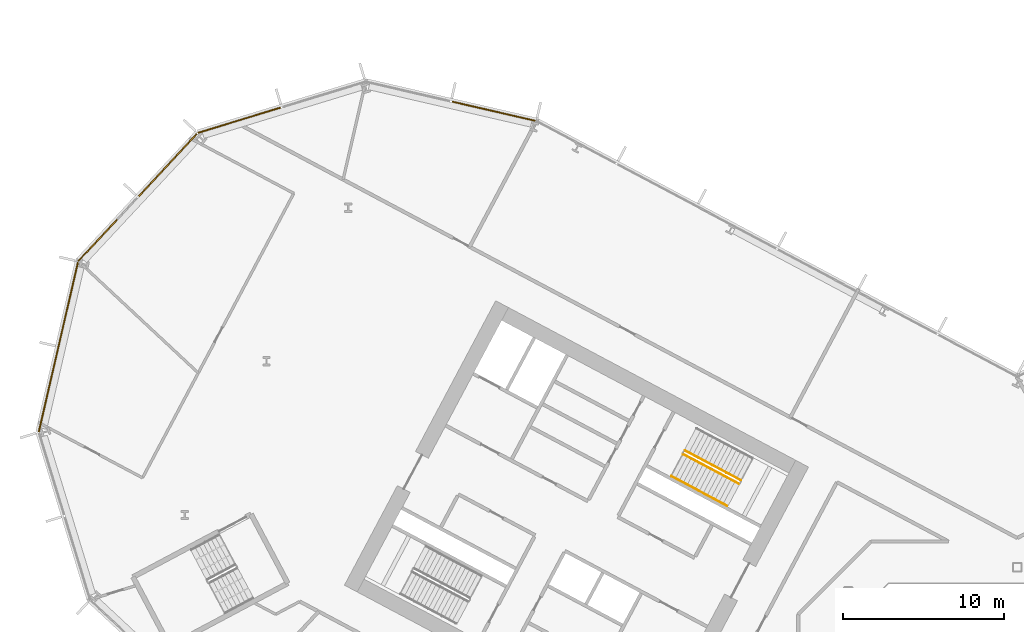
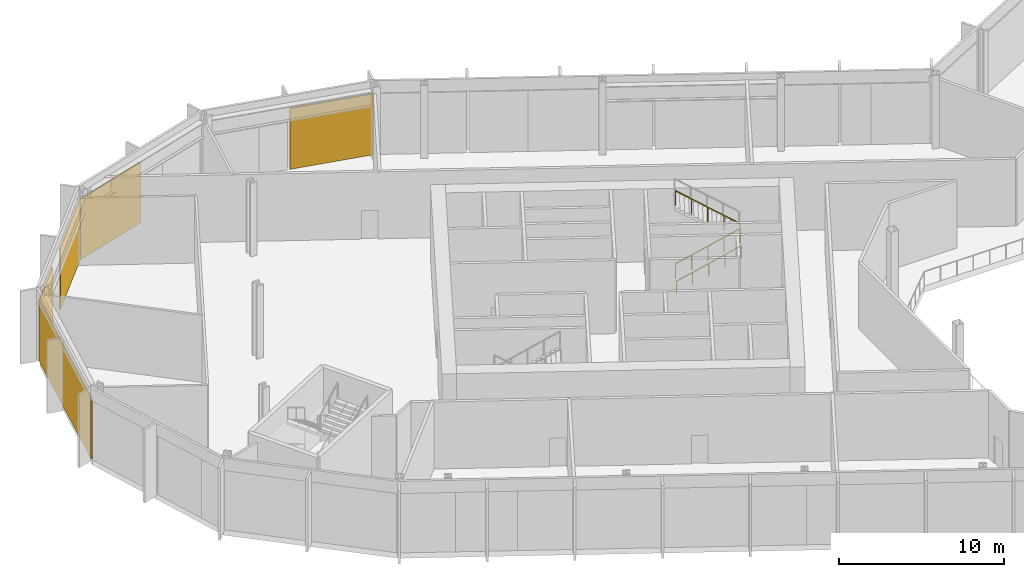
# One storey, part 24 of 31: 5 coverings, 3 railings, 4 elements without a shape of their own.
"""IFC4 building model written with IfcOpenShell, lengths in metres."""

import ifcopenshell
import ifcopenshell.guid

model = None  # the IFC model being written
_history = None  # IfcOwnerHistory: only IFC2X3 demands one
_inside = {}  # id of a spatial element -> (the spatial element, [elements in it])
_under = {}  # id of a project, library or spatial element -> (it, [spatial elements below it])
_declared = {}  # id of a project -> (the project, [libraries it declares])
_typed = {}  # id of a type object -> (the type object, [elements of that type])
_made_of = {}  # id of a material, layer set ... -> (it, [elements and type objects made of it])


def new_model(schema):
    """Start an empty IFC model of exactly this schema.

    Asked for "IFC4X3", IfcOpenShell would pick the latest addendum, in which some entities
    have other attributes; the version numbers below select the first issue.
    IFC2X3 requires an IfcOwnerHistory on every rooted entity: one is made here for all.
    """
    global model, _history
    if schema == "IFC4X3":
        model = ifcopenshell.file(schema_version=(4, 3, 0, 0))
    else:
        model = ifcopenshell.file(schema=schema)
    _inside.clear()
    _under.clear()
    _declared.clear()
    _typed.clear()
    _made_of.clear()
    _history = None
    if model.schema == "IFC2X3":
        org = make("IfcOrganization", Name="unknown")
        user = make(
            "IfcPersonAndOrganization",
            ThePerson=make("IfcPerson", FamilyName="unknown"),
            TheOrganization=org,
        )
        app = make(
            "IfcApplication",
            ApplicationDeveloper=org,
            Version="unknown",
            ApplicationFullName="unknown",
            ApplicationIdentifier="unknown",
        )
        _history = make(
            "IfcOwnerHistory",
            OwningUser=user,
            OwningApplication=app,
            ChangeAction="ADDED",
            CreationDate=0,
        )
    return model


def make(cls, **values):
    """One entity of the class cls with the attributes given. An attribute that is None is left unset."""
    return model.create_entity(
        cls, **{name: value for name, value in values.items() if value is not None}
    )


def rooted(cls, **values):
    """An entity with a GlobalId (a new one), such as an element, a storey or a relation."""
    return make(cls, GlobalId=ifcopenshell.guid.new(), OwnerHistory=_history, **values)


def si_unit(unit_type, name, prefix=None):
    """IfcSIUnit, for example si_unit("LENGTHUNIT", "METRE", prefix="MILLI")."""
    return make("IfcSIUnit", UnitType=unit_type, Prefix=prefix, Name=name)


def assignment(units):
    """IfcUnitAssignment: the units of a project."""
    return None if units is None else make("IfcUnitAssignment", Units=units)


def point(xyz):
    """IfcCartesianPoint."""
    return None if xyz is None else make("IfcCartesianPoint", Coordinates=xyz)


def direction(xyz):
    """IfcDirection."""
    return None if xyz is None else make("IfcDirection", DirectionRatios=xyz)


def frame(location, z_axis=None, x_axis=None):
    """IfcAxis2Placement3D, a coordinate frame: its origin and axes. An axis left out is left unset."""
    return make(
        "IfcAxis2Placement3D",
        Location=point(location),
        Axis=direction(z_axis),
        RefDirection=direction(x_axis),
    )


def frame_2d(location, x_axis=None):
    """IfcAxis2Placement2D, a coordinate frame in the plane: its origin and x axis."""
    return make(
        "IfcAxis2Placement2D", Location=point(location), RefDirection=direction(x_axis)
    )


def origin():
    """The frame at (0, 0, 0) with its axes left unset."""
    return frame((0.0, 0.0, 0.0))


def origin_2d():
    """The frame at (0, 0) in the plane with its x axis left unset."""
    return frame_2d((0.0, 0.0))


def place(relative_to, where):
    """IfcLocalPlacement: puts the frame where relative to a parent placement (None: the world)."""
    return make(
        "IfcLocalPlacement", PlacementRelTo=relative_to, RelativePlacement=where
    )


def context(
    kind, dimensions, precision=None, world=None, true_north=None, identifier=None
):
    """IfcGeometricRepresentationContext, for example the 3D "Model" context."""
    return make(
        "IfcGeometricRepresentationContext",
        ContextIdentifier=identifier,
        ContextType=kind,
        CoordinateSpaceDimension=dimensions,
        Precision=precision,
        WorldCoordinateSystem=world,
        TrueNorth=true_north,
    )


def subcontext(parent, identifier, kind, view, scale=None):
    """IfcGeometricRepresentationSubContext, for example "Body" below "Model"."""
    return make(
        "IfcGeometricRepresentationSubContext",
        ContextIdentifier=identifier,
        ContextType=kind,
        ParentContext=parent,
        TargetScale=scale,
        TargetView=view,
    )


def project(units=None, contexts=None):
    """IfcProject with its units and contexts."""
    return rooted(
        "IfcProject",
        Name="project",
        RepresentationContexts=contexts,
        UnitsInContext=assignment(units),
    )


def spatial(cls, under=None, at=None, **own):
    """A site, building, storey or space (cls), placed at a placement, below another one or the project."""
    s = rooted(cls, ObjectPlacement=at, **own)
    if under is not None:
        _under.setdefault(under.id(), (under, []))[1].append(s)
    return s


def polyline(points):
    """IfcPolyline through the points."""
    return make("IfcPolyline", Points=[point(p) for p in points])


def profile(cls, at=None, kind="AREA", **sizes):
    """A parametric profile (cls). Its sizes go by their IFC names, for example OverallWidth=200.0."""
    return make(cls, ProfileType=kind, Position=at, **sizes)


def rectangle(**sizes):
    """IfcRectangleProfileDef."""
    return profile("IfcRectangleProfileDef", **sizes)


def outline(outer, holes=None, kind="AREA"):
    """IfcArbitraryClosedProfileDef: a profile drawn as a closed curve; with holes, ...WithVoids."""
    if holes is None:
        return make("IfcArbitraryClosedProfileDef", ProfileType=kind, OuterCurve=outer)
    return make(
        "IfcArbitraryProfileDefWithVoids",
        ProfileType=kind,
        OuterCurve=outer,
        InnerCurves=holes,
    )


def extrude(swept, where, along, depth):
    """IfcExtrudedAreaSolid: the profile swept, set in the frame where, extruded along a direction by depth."""
    return make(
        "IfcExtrudedAreaSolid",
        SweptArea=swept,
        Position=where,
        ExtrudedDirection=direction(along),
        Depth=depth,
    )


def shape(context_of_items, identifier, shape_type, items):
    """IfcShapeRepresentation: the items that make up one representation, for example the "Body"."""
    return make(
        "IfcShapeRepresentation",
        ContextOfItems=context_of_items,
        RepresentationIdentifier=identifier,
        RepresentationType=shape_type,
        Items=items,
    )


def material(Name=None, Category=None):
    """IfcMaterial."""
    return make("IfcMaterial", Name=Name, Category=Category)


def layer(
    of_material, thickness, ventilated=None, Name=None, Category=None, Priority=None
):
    """IfcMaterialLayer: one layer of a wall or slab, of a material (None: an air gap)."""
    return make(
        "IfcMaterialLayer",
        Material=of_material,
        LayerThickness=thickness,
        IsVentilated=ventilated,
        Name=Name,
        Category=Category,
        Priority=Priority,
    )


def layer_set(layers, Name=None):
    """IfcMaterialLayerSet."""
    return make("IfcMaterialLayerSet", MaterialLayers=layers, LayerSetName=Name)


def made_of(thing, what):
    """Note that an element or type object is made of a material, layer set ...; save() writes the relation."""
    if what is not None:
        _made_of.setdefault(what.id(), (what, []))[1].append(thing)
    return thing


def type_object(cls, material=None, **own):
    """A type object (cls), such as IfcWallType, which elements share."""
    return made_of(rooted(cls, **own), material)


def element(
    cls,
    number,
    at=None,
    inside=None,
    cuts=None,
    type_object=None,
    material=None,
    context=None,
    identifier="Body",
    shape_type=None,
    held_by="IfcProductDefinitionShape",
    body=None,
    shapes=None,
    **own,
):
    """One element of the class cls, such as IfcWall. Its Tag is "e" and its number.

    at: its placement. inside: the storey or other place that contains it. cuts: it is an
    opening in that element (IfcRelVoidsElement). A single representation is given by context,
    identifier, shape_type and body (its items); several are given by shapes. held_by: the class
    of the entity that holds the representations. save() writes the other relations.
    """
    e = rooted(cls, Tag="e%d" % number, ObjectPlacement=at, **own)
    if body is not None:
        shapes = [shape(context, identifier, shape_type, body)]
    if shapes is not None:
        e.Representation = make(held_by, Representations=shapes)
    if inside is not None:
        _inside.setdefault(inside.id(), (inside, []))[1].append(e)
    if cuts is not None:
        rooted(
            "IfcRelVoidsElement", RelatingBuildingElement=cuts, RelatedOpeningElement=e
        )
    if type_object is not None:
        _typed.setdefault(type_object.id(), (type_object, []))[1].append(e)
    return made_of(e, material)


def aggregate(whole, parts):
    """IfcRelAggregates: a whole, such as a stair, and the parts it consists of."""
    return rooted("IfcRelAggregates", RelatingObject=whole, RelatedObjects=parts)


def save(model, path):
    """Write the relations noted so far, then the file.

    IfcRelAggregates (storeys below a building ...), IfcRelContainedInSpatialStructure (elements
    in a storey), IfcRelDefinesByType, IfcRelAssociatesMaterial and IfcRelDeclares: one each for
    every whole, place, type object, material and project.
    """
    for whole, parts in _under.values():
        aggregate(whole, parts)
    for where, things in _inside.values():
        rooted(
            "IfcRelContainedInSpatialStructure",
            RelatedElements=things,
            RelatingStructure=where,
        )
    for kind, things in _typed.values():
        rooted("IfcRelDefinesByType", RelatedObjects=things, RelatingType=kind)
    for what, things in _made_of.values():
        rooted("IfcRelAssociatesMaterial", RelatedObjects=things, RelatingMaterial=what)
    for by, libraries in _declared.values():
        rooted("IfcRelDeclares", RelatingContext=by, RelatedDefinitions=libraries)
    model.write(path)


model = new_model("IFC4")

# Units and contexts
model_context = context("Model", 3, precision=1e-05, world=origin(), true_north=direction((0.0, 1.0)))
body_context = subcontext(model_context, "Body", "Model", "MODEL_VIEW")
ifc_project = project(units=[si_unit("LENGTHUNIT", "METRE"), si_unit("AREAUNIT", "SQUARE_METRE"), si_unit("VOLUMEUNIT", "CUBIC_METRE"), si_unit("PLANEANGLEUNIT", "RADIAN"), si_unit("MASSUNIT", "GRAM", prefix="KILO")], contexts=[model_context])

# Site, building, storey
site_placement = place(None, origin())
site = spatial("IfcSite", under=ifc_project, at=site_placement, CompositionType="ELEMENT")
building_placement = place(site_placement, origin())
building = spatial("IfcBuilding", under=site, at=building_placement, Name="Cormorant Relay Tower", CompositionType="ELEMENT")
storey_placement = place(building_placement, frame((0.0, 0.0, 33.800048828125)))
storey = spatial("IfcBuildingStorey", under=building, at=storey_placement, Name="L06", CompositionType="ELEMENT", Elevation=33.800048828125)

# Curtain wall, covering
ifc_material_1 = material(Name="Aluminium 6063-T6 anodised bronze", Category="aluminium")
ifc_layer_1 = layer(ifc_material_1, 0.235107421875)
ifc_layer_set_1 = layer_set([ifc_layer_1], Name="CW6 data hall curtain wall with mineral wool panels")
curtain_wall_type = type_object("IfcCurtainWallType", Name="CW6 data hall curtain wall with mineral wool panels", PredefinedType="NOTDEFINED", material=ifc_layer_set_1)
curtain_wall_1_placement = place(storey_placement, origin())
curtain_wall_1 = element("IfcCurtainWall", 1, at=curtain_wall_1_placement, inside=storey, type_object=curtain_wall_type, Name="CW6 curtain wall 8", PredefinedType="NOTDEFINED")
ifc_material_2 = material(Name="Mineral wool cored anodised bronze aluminium cassette panel", Category="aluminium")
ifc_layer_2 = layer(ifc_material_2, 0.074951171875)
ifc_layer_set_2 = layer_set([ifc_layer_2], Name="CW6 mineral wool cassette panel 75")
covering_type = type_object("IfcCoveringType", Name="CW6 mineral wool cassette panel 75", PredefinedType="CLADDING", material=ifc_layer_set_2)
covering_1_placement = place(storey_placement, frame((-32.51318359375, 40.31591796875, 0.0), z_axis=(0.0, 0.0, 1.0), x_axis=(-0.974370064785, 0.224951054344, 0.0)))
covering_1 = element("IfcCovering", 2, at=covering_1_placement, type_object=covering_type, Name="CW6 panel S00", PredefinedType="CLADDING", context=body_context, shape_type="SweptSolid", body=[
    extrude(rectangle(XDim=5.28515625, YDim=0.074951171875, at=origin_2d()), origin(), (0.0, 0.0, 1.0), 4.5),
])
aggregate(curtain_wall_1, [covering_1])

curtain_wall_2_placement = place(storey_placement, origin())
curtain_wall_2 = element("IfcCurtainWall", 3, at=curtain_wall_2_placement, inside=storey, type_object=curtain_wall_type, Name="CW6 curtain wall 9", PredefinedType="NOTDEFINED")
covering_2_placement = place(storey_placement, frame((-48.308837890625, 39.754638671875, 0.0), z_axis=(0.0, 0.0, 1.0), x_axis=(-0.956304755963, -0.292371704723, 0.0)))
covering_2 = element("IfcCovering", 4, at=covering_2_placement, type_object=covering_type, Name="CW6 panel S02", PredefinedType="CLADDING", context=body_context, shape_type="SweptSolid", body=[
    extrude(rectangle(XDim=5.360107421875, YDim=0.074951171875, at=origin_2d()), origin(), (0.0, 0.0, 1.0), 4.5),
])
aggregate(curtain_wall_2, [covering_2])

# Curtain wall, coverings
curtain_wall_3_placement = place(storey_placement, origin())
curtain_wall_3 = element("IfcCurtainWall", 5, at=curtain_wall_3_placement, inside=storey, type_object=curtain_wall_type, Name="CW6 curtain wall 10", PredefinedType="NOTDEFINED")
covering_3_placement = place(storey_placement, frame((-52.74169921875, 36.973388671875, 0.0), z_axis=(0.0, 0.0, 1.0), x_axis=(-0.681998360062, -0.731353701619, 0.0)))
covering_3 = element("IfcCovering", 6, at=covering_3_placement, type_object=covering_type, Name="CW6 panel S00", PredefinedType="CLADDING", context=body_context, shape_type="SweptSolid", body=[
    extrude(rectangle(XDim=5.28515625, YDim=0.074951171875, at=origin_2d()), origin(), (0.0, 0.0, 1.0), 4.5),
])
covering_4_placement = place(storey_placement, frame((-57.087890625, 32.3125, 0.0), z_axis=(0.0, 0.0, 1.0), x_axis=(-0.681998360062, -0.731353701619, 0.0)))
covering_4 = element("IfcCovering", 7, at=covering_4_placement, type_object=covering_type, Name="CW6 panel S02", PredefinedType="CLADDING", context=body_context, shape_type="SweptSolid", body=[
    extrude(rectangle(XDim=3.560302734375, YDim=0.074951171875, at=origin_2d()), origin(), (0.0, 0.0, 1.0), 4.5),
])
aggregate(curtain_wall_3, [covering_3, covering_4])

# Curtain wall, covering
curtain_wall_4_placement = place(storey_placement, origin())
curtain_wall_4 = element("IfcCurtainWall", 8, at=curtain_wall_4_placement, inside=storey, type_object=curtain_wall_type, Name="CW6 curtain wall 11", PredefinedType="NOTDEFINED")
covering_5_placement = place(storey_placement, frame((-59.542236328125, 25.6611328125, 0.0), z_axis=(0.0, 0.0, 1.0), x_axis=(-0.224951054344, -0.974370064785, 0.0)))
covering_5 = element("IfcCovering", 9, at=covering_5_placement, type_object=covering_type, Name="CW6 panel S00", PredefinedType="CLADDING", context=body_context, shape_type="SweptSolid", body=[
    extrude(rectangle(XDim=10.79541015625, YDim=0.074951171875, at=origin_2d()), origin(), (0.0, 0.0, 1.0), 4.5),
])
aggregate(curtain_wall_4, [covering_5])

# Railings
ifc_material_3 = material(Name="Steel ASTM A572 Grade 50 (Fy 345 MPa)", Category="steel")
railing_type_1 = type_object("IfcRailingType", Name="Stair guard 1100", PredefinedType="GUARDRAIL", material=ifc_material_3)
railing_1_placement = place(storey_placement, frame((-20.75048828125, 19.017822265625, 0.179931640625)))
element("IfcRailing", 10, at=railing_1_placement, inside=storey, type_object=railing_type_1, Name="L06 A1 stair guard 1", PredefinedType="GUARDRAIL", context=body_context, shape_type="SweptSolid", body=[
    extrude(outline(polyline([(0.022216796875, 0.00927734375), (0.00927734375, 0.022216796875), (-0.00927734375, 0.022216796875), (-0.022216796875, 0.00927734375), (-0.022216796875, -0.00927734375), (-0.00927734375, -0.022216796875), (0.00927734375, -0.022216796875), (0.022216796875, -0.00927734375), (0.022216796875, 0.00927734375)])), frame((0.0, 0.0, 1.076171875), z_axis=(0.74271721126, -0.394907409077, 0.540758062681), x_axis=(0.469469396681, 0.882948744594, 0.0)), (0.0, 0.0, 1.0), 4.66015625),
    extrude(outline(polyline([(0.019287109375, 0.008056640625), (0.008056640625, 0.019287109375), (-0.008056640625, 0.019287109375), (-0.019287109375, 0.008056640625), (-0.019287109375, -0.008056640625), (-0.008056640625, -0.019287109375), (0.008056640625, -0.019287109375), (0.019287109375, -0.008056640625), (0.019287109375, 0.008056640625)])), origin(), (0.0, 0.0, 1.0), 1.052001953125),
    extrude(outline(polyline([(0.019287109375, 0.008056640625), (0.008056640625, 0.019287109375), (-0.008056640625, 0.019287109375), (-0.019287109375, 0.008056640625), (-0.019287109375, -0.008056640625), (-0.008056640625, -0.019287109375), (0.008056640625, -0.019287109375), (0.019287109375, -0.008056640625), (0.019287109375, 0.008056640625)])), frame((0.865234375, -0.4599609375, 0.6298828125)), (0.0, 0.0, 1.0), 1.052001953125),
    extrude(outline(polyline([(0.019287109375, 0.008056640625), (0.008056640625, 0.019287109375), (-0.008056640625, 0.019287109375), (-0.019287109375, 0.008056640625), (-0.019287109375, -0.008056640625), (-0.008056640625, -0.019287109375), (0.008056640625, -0.019287109375), (0.019287109375, -0.008056640625), (0.019287109375, 0.008056640625)])), frame((1.73046875, -0.920166015625, 1.260009765625)), (0.0, 0.0, 1.0), 1.052001953125),
    extrude(outline(polyline([(0.019287109375, 0.008056640625), (0.008056640625, 0.019287109375), (-0.008056640625, 0.019287109375), (-0.019287109375, 0.008056640625), (-0.019287109375, -0.008056640625), (-0.008056640625, -0.019287109375), (0.008056640625, -0.019287109375), (0.019287109375, -0.008056640625), (0.019287109375, 0.008056640625)])), frame((2.595947265625, -1.38037109375, 1.89013671875)), (0.0, 0.0, 1.0), 1.052001953125),
    extrude(outline(polyline([(0.019287109375, 0.008056640625), (0.008056640625, 0.019287109375), (-0.008056640625, 0.019287109375), (-0.019287109375, 0.008056640625), (-0.019287109375, -0.008056640625), (-0.008056640625, -0.019287109375), (0.008056640625, -0.019287109375), (0.019287109375, -0.008056640625), (0.019287109375, 0.008056640625)])), frame((3.461181640625, -1.84033203125, 2.52001953125)), (0.0, 0.0, 1.0), 1.052001953125),
])
railing_2_placement = place(storey_placement, frame((-17.172119140625, 17.398193359375, 2.8798828125)))
element("IfcRailing", 11, at=railing_2_placement, inside=storey, type_object=railing_type_1, Name="L06 A1 stair guard 3", PredefinedType="GUARDRAIL", context=body_context, shape_type="SweptSolid", body=[
    extrude(outline(polyline([(0.022216796875, 0.00927734375), (0.00927734375, 0.022216796875), (-0.00927734375, 0.022216796875), (-0.022216796875, 0.00927734375), (-0.022216796875, -0.00927734375), (-0.00927734375, -0.022216796875), (0.00927734375, -0.022216796875), (0.022216796875, -0.00927734375), (0.022216796875, 0.00927734375)])), frame((0.0, 0.0, 1.076171875), z_axis=(-0.74271721126, 0.394907409077, 0.540758062681), x_axis=(-0.469469396681, -0.882948744594, 0.0)), (0.0, 0.0, 1.0), 4.66015625),
    extrude(outline(polyline([(0.019287109375, 0.008056640625), (0.008056640625, 0.019287109375), (-0.008056640625, 0.019287109375), (-0.019287109375, 0.008056640625), (-0.019287109375, -0.008056640625), (-0.008056640625, -0.019287109375), (0.008056640625, -0.019287109375), (0.019287109375, -0.008056640625), (0.019287109375, 0.008056640625)])), origin(), (0.0, 0.0, 1.0), 1.052001953125),
    extrude(outline(polyline([(0.019287109375, 0.008056640625), (0.008056640625, 0.019287109375), (-0.008056640625, 0.019287109375), (-0.019287109375, 0.008056640625), (-0.019287109375, -0.008056640625), (-0.008056640625, -0.019287109375), (0.008056640625, -0.019287109375), (0.019287109375, -0.008056640625), (0.019287109375, 0.008056640625)])), frame((-0.865234375, 0.4599609375, 0.6298828125)), (0.0, 0.0, 1.0), 1.052001953125),
    extrude(outline(polyline([(0.019287109375, 0.008056640625), (0.008056640625, 0.019287109375), (-0.008056640625, 0.019287109375), (-0.019287109375, 0.008056640625), (-0.019287109375, -0.008056640625), (-0.008056640625, -0.019287109375), (0.008056640625, -0.019287109375), (0.019287109375, -0.008056640625), (0.019287109375, 0.008056640625)])), frame((-1.73046875, 0.920166015625, 1.260009765625)), (0.0, 0.0, 1.0), 1.052001953125),
    extrude(outline(polyline([(0.019287109375, 0.008056640625), (0.008056640625, 0.019287109375), (-0.008056640625, 0.019287109375), (-0.019287109375, 0.008056640625), (-0.019287109375, -0.008056640625), (-0.008056640625, -0.019287109375), (0.008056640625, -0.019287109375), (0.019287109375, -0.008056640625), (0.019287109375, 0.008056640625)])), frame((-2.595947265625, 1.38037109375, 1.89013671875)), (0.0, 0.0, 1.0), 1.052001953125),
    extrude(outline(polyline([(0.019287109375, 0.008056640625), (0.008056640625, 0.019287109375), (-0.008056640625, 0.019287109375), (-0.019287109375, 0.008056640625), (-0.019287109375, -0.008056640625), (-0.008056640625, -0.019287109375), (0.008056640625, -0.019287109375), (0.019287109375, -0.008056640625), (0.019287109375, 0.008056640625)])), frame((-3.461181640625, 1.84033203125, 2.52001953125)), (0.0, 0.0, 1.0), 1.052001953125),
])
ifc_material_4 = material(Name="Steel ASTM A572 Grade 50 (Fy 345 MPa)", Category="steel")
railing_type_2 = type_object("IfcRailingType", Name="Stair handrail 900", PredefinedType="HANDRAIL", material=ifc_material_4)
railing_3_placement = place(storey_placement, frame((-21.478271484375, 17.6494140625, 0.179931640625)))
element("IfcRailing", 12, at=railing_3_placement, inside=storey, type_object=railing_type_2, Name="L06 A1 stair handrail 1", PredefinedType="HANDRAIL", context=body_context, shape_type="SweptSolid", body=[
    extrude(outline(polyline([(0.022216796875, 0.00927734375), (0.00927734375, 0.022216796875), (-0.00927734375, 0.022216796875), (-0.022216796875, 0.00927734375), (-0.022216796875, -0.00927734375), (-0.00927734375, -0.022216796875), (0.00927734375, -0.022216796875), (0.022216796875, -0.00927734375), (0.022216796875, 0.00927734375)])), frame((0.0, 0.0, 0.8759765625), z_axis=(0.74271721126, -0.394907409077, 0.540758062681), x_axis=(0.469469396681, 0.882948744594, 0.0)), (0.0, 0.0, 1.0), 4.66015625),
    extrude(outline(polyline([(0.019287109375, 0.008056640625), (0.008056640625, 0.019287109375), (-0.008056640625, 0.019287109375), (-0.019287109375, 0.008056640625), (-0.019287109375, -0.008056640625), (-0.008056640625, -0.019287109375), (0.008056640625, -0.019287109375), (0.019287109375, -0.008056640625), (0.019287109375, 0.008056640625)])), origin(), (0.0, 0.0, 1.0), 0.851806640625),
    extrude(outline(polyline([(0.019287109375, 0.008056640625), (0.008056640625, 0.019287109375), (-0.008056640625, 0.019287109375), (-0.019287109375, 0.008056640625), (-0.019287109375, -0.008056640625), (-0.008056640625, -0.019287109375), (0.008056640625, -0.019287109375), (0.019287109375, -0.008056640625), (0.019287109375, 0.008056640625)])), frame((0.865234375, -0.4599609375, 0.6298828125)), (0.0, 0.0, 1.0), 0.851806640625),
    extrude(outline(polyline([(0.019287109375, 0.008056640625), (0.008056640625, 0.019287109375), (-0.008056640625, 0.019287109375), (-0.019287109375, 0.008056640625), (-0.019287109375, -0.008056640625), (-0.008056640625, -0.019287109375), (0.008056640625, -0.019287109375), (0.019287109375, -0.008056640625), (0.019287109375, 0.008056640625)])), frame((1.73046875, -0.920166015625, 1.260009765625)), (0.0, 0.0, 1.0), 0.851806640625),
    extrude(outline(polyline([(0.019287109375, 0.008056640625), (0.008056640625, 0.019287109375), (-0.008056640625, 0.019287109375), (-0.019287109375, 0.008056640625), (-0.019287109375, -0.008056640625), (-0.008056640625, -0.019287109375), (0.008056640625, -0.019287109375), (0.019287109375, -0.008056640625), (0.019287109375, 0.008056640625)])), frame((2.595947265625, -1.38037109375, 1.89013671875)), (0.0, 0.0, 1.0), 0.851806640625),
    extrude(outline(polyline([(0.019287109375, 0.008056640625), (0.008056640625, 0.019287109375), (-0.008056640625, 0.019287109375), (-0.019287109375, 0.008056640625), (-0.019287109375, -0.008056640625), (-0.008056640625, -0.019287109375), (0.008056640625, -0.019287109375), (0.019287109375, -0.008056640625), (0.019287109375, 0.008056640625)])), frame((3.461181640625, -1.84033203125, 2.52001953125)), (0.0, 0.0, 1.0), 0.851806640625),
])

save(model, "model.ifc")
